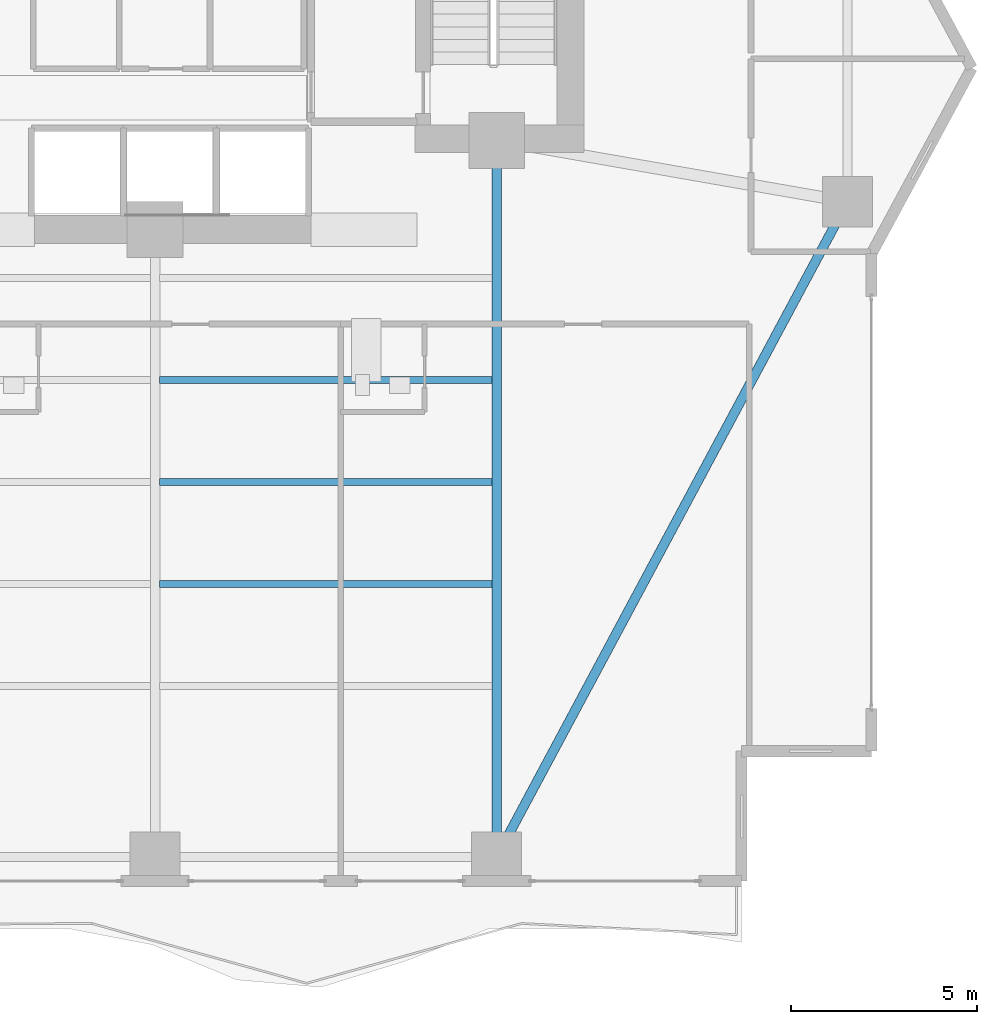
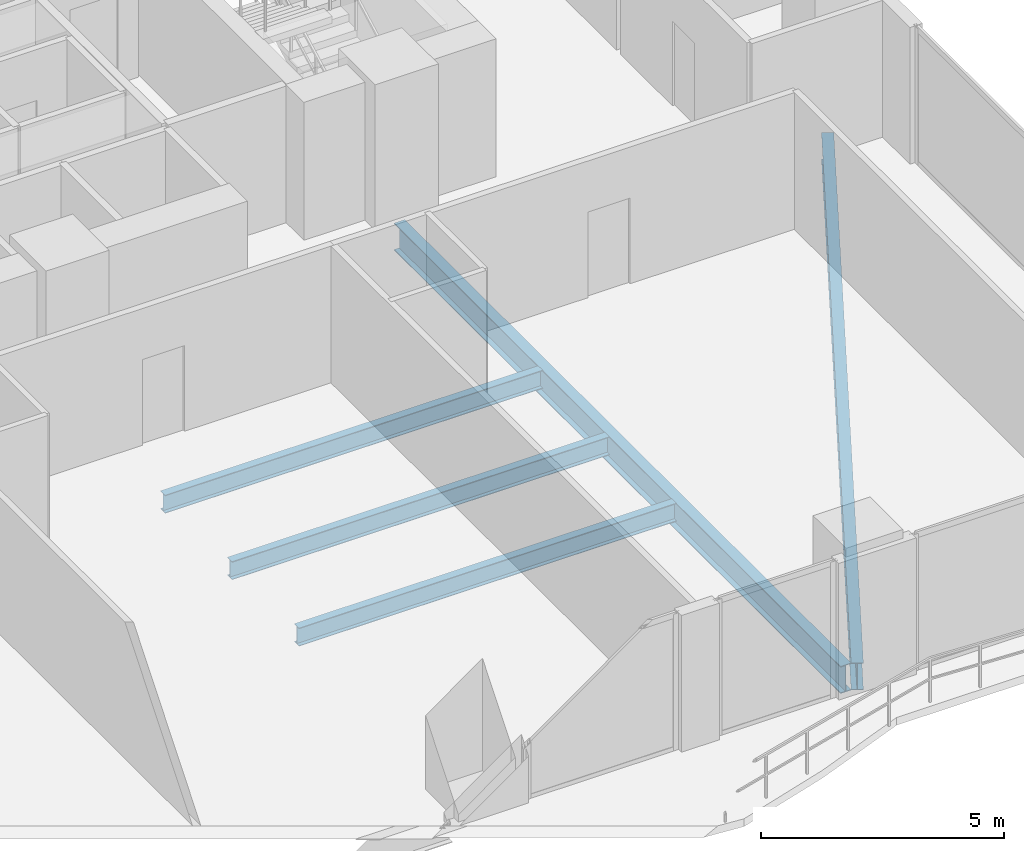
# One storey, part 10 of 28: 5 beams.
"""IFC4 building model written with IfcOpenShell, lengths in metres."""

from ifc_helpers import new_model, si_unit, direction, frame, origin, origin_2d, place, context, subcontext, project, spatial, i_section, extrude, material, material_profile, profile_set, type_object, element, save


model = new_model("IFC4")

# Units and contexts
model_context = context("Model", 3, precision=1e-05, world=origin(), true_north=direction((0.0, 1.0)))
body_context = subcontext(model_context, "Body", "Model", "MODEL_VIEW")
ifc_project = project(units=[si_unit("LENGTHUNIT", "METRE"), si_unit("AREAUNIT", "SQUARE_METRE"), si_unit("VOLUMEUNIT", "CUBIC_METRE"), si_unit("PLANEANGLEUNIT", "RADIAN"), si_unit("MASSUNIT", "GRAM", prefix="KILO")], contexts=[model_context])

# Site, building, storey
site_placement = place(None, origin())
site = spatial("IfcSite", under=ifc_project, at=site_placement, CompositionType="ELEMENT")
building_placement = place(site_placement, origin())
building = spatial("IfcBuilding", under=site, at=building_placement, Name="Zuhayl Quay Hotel", CompositionType="ELEMENT")
storey_placement = place(building_placement, frame((0.0, 0.0, 143.10009765625)))
storey = spatial("IfcBuildingStorey", under=building, at=storey_placement, Name="L36", CompositionType="ELEMENT", Elevation=143.10009765625)

# Beams
ifc_material = material(Name="Steel ASTM A992 Grade 50", Category="steel")
ifc_material_profile_1 = material_profile(ifc_material, i_section(OverallWidth=0.25390625, OverallDepth=0.68310546875, WebThickness=0.012451171875, FlangeThickness=0.018798828125, at=origin_2d()), Name="W27X94")
ifc_profile_set_1 = profile_set([ifc_material_profile_1], Name="Steel ASTM A992 Grade 50")
beam_type_1 = type_object("IfcBeamType", Name="BM_B2_W27X94", PredefinedType="BEAM", material=ifc_profile_set_1)
beam_1_placement = place(storey_placement, frame((14.035888671875, -14.30908203125, -0.5615234375), z_axis=(0.472017301959, 0.88158928456, 0.0), x_axis=(-0.88158928456, 0.472017301959, 0.0)))
element("IfcBeam", 1, at=beam_1_placement, inside=storey, type_object=beam_type_1, Name="L36 Floor Beam RG_L36_04", PredefinedType="BEAM", context=body_context, shape_type="SweptSolid", body=[
    extrude(i_section(OverallWidth=0.25390625, OverallDepth=0.68310546875, WebThickness=0.012451171875, FlangeThickness=0.018798828125, at=origin_2d()), origin(), (0.0, 0.0, 1.0), 19.0205078125),
])
beam_2_placement = place(storey_placement, frame((13.800048828125, -14.25, -0.5615234375), z_axis=(0.0, 1.0, 0.0), x_axis=(-1.0, 0.0, 0.0)))
element("IfcBeam", 2, at=beam_2_placement, inside=storey, type_object=beam_type_1, Name="L36 Floor Beam FG_S_L36_4", PredefinedType="BEAM", context=body_context, shape_type="SweptSolid", body=[
    extrude(i_section(OverallWidth=0.25390625, OverallDepth=0.68310546875, WebThickness=0.012451171875, FlangeThickness=0.018798828125, at=origin_2d()), origin(), (0.0, 0.0, 1.0), 18.35009765625),
])
ifc_material_profile_2 = material_profile(ifc_material, i_section(OverallWidth=0.18994140625, OverallDepth=0.45703125, WebThickness=0.009033203125, FlangeThickness=0.014404296875, at=origin_2d()), Name="W18X50")
ifc_profile_set_2 = profile_set([ifc_material_profile_2], Name="Steel ASTM A992 Grade 50")
beam_type_2 = type_object("IfcBeamType", Name="BM_J2_W18X50", PredefinedType="JOIST", material=ifc_profile_set_2)
for number, where, z_axis, x_axis, name in (
    (3, (4.718994140625, -7.39990234375, -0.448486328125), (1.0, 0.0, 0.0), (0.0, 1.0, 0.0), "L36 Floor Beam FJ_L36_6_3"),
    (4, (4.718994140625, -4.64990234375, -0.448486328125), (1.0, 0.0, 0.0), (0.0, 1.0, 0.0), "L36 Floor Beam FJ_L36_7_3"),
    (5, (4.718994140625, -1.89990234375, -0.448486328125), (1.0, 0.0, 0.0), (0.0, 1.0, 0.0), "L36 Floor Beam FJ_L36_8_3"),
):
    element("IfcBeam", number, at=place(storey_placement, frame(where, z_axis=z_axis, x_axis=x_axis)), inside=storey, type_object=beam_type_2, Name=name, PredefinedType="JOIST", context=body_context, shape_type="SweptSolid", body=[
        extrude(i_section(OverallWidth=0.18994140625, OverallDepth=0.45703125, WebThickness=0.009033203125, FlangeThickness=0.014404296875, at=origin_2d()), origin(), (0.0, 0.0, 1.0), 8.9619140625),
    ])

save(model, "model.ifc")
